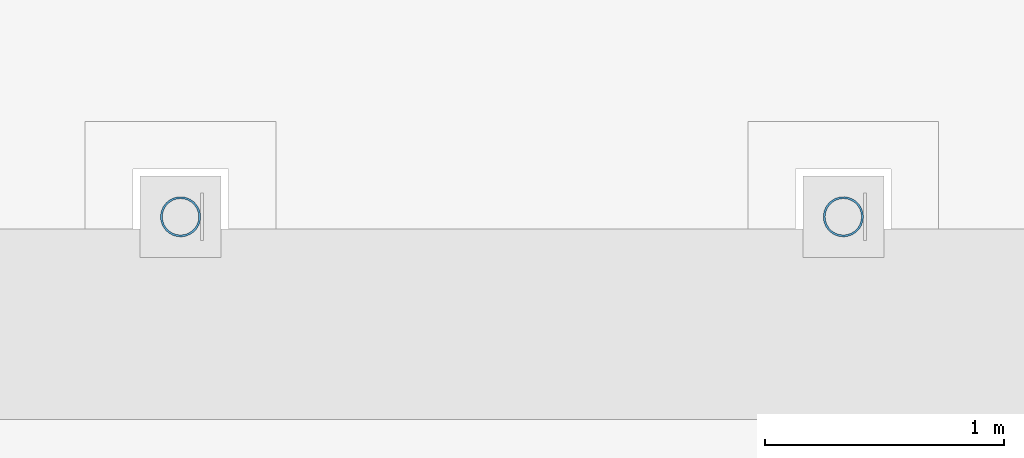
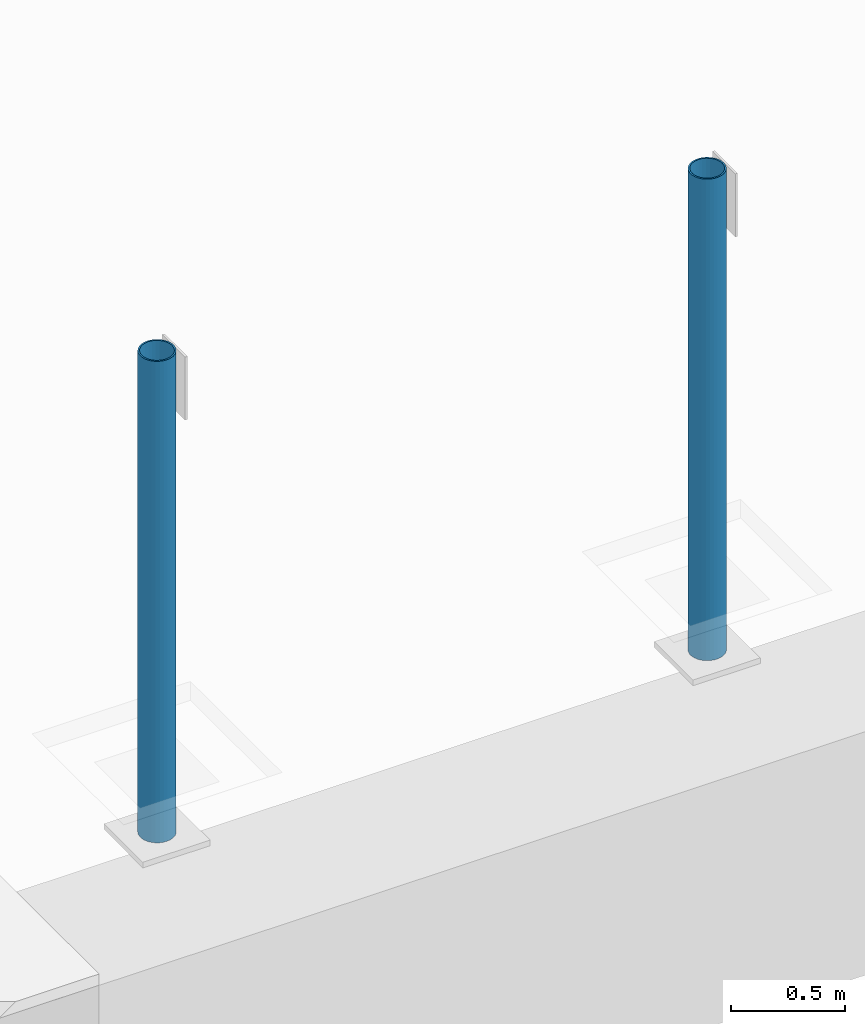
# One storey, part 14 of 47: 2 members.
"""IFC4 building model written with IfcOpenShell, lengths in metres."""

from ifc_helpers import new_model, si_unit, direction, frame, origin, origin_2d, place, context, subcontext, project, spatial, hollow_circle, extrude, material, material_profile, profile_set, type_object, element, save


model = new_model("IFC4")

# Units and contexts
model_context = context("Model", 3, precision=1e-05, world=origin(), true_north=direction((0.0, 1.0)))
body_context = subcontext(model_context, "Body", "Model", "MODEL_VIEW")
ifc_project = project(units=[si_unit("LENGTHUNIT", "METRE"), si_unit("AREAUNIT", "SQUARE_METRE"), si_unit("VOLUMEUNIT", "CUBIC_METRE"), si_unit("PLANEANGLEUNIT", "RADIAN"), si_unit("MASSUNIT", "GRAM", prefix="KILO")], contexts=[model_context])

# Site, building, storey
site_placement = place(None, origin())
site = spatial("IfcSite", under=ifc_project, at=site_placement, CompositionType="ELEMENT")
building_placement = place(site_placement, origin())
building = spatial("IfcBuilding", under=site, at=building_placement, Name="Larchfold Concert Hall", CompositionType="ELEMENT")
storey_placement = place(building_placement, frame((0.0, 0.0, 24.0)))
storey = spatial("IfcBuildingStorey", under=building, at=storey_placement, Name="L05", CompositionType="ELEMENT", Elevation=24.0)

# Members
ifc_material = material(Name="Steel S355J2H", Category="steel")
ifc_material_profile = material_profile(ifc_material, hollow_circle(Radius=0.084228515625, WallThickness=0.008056640625, at=origin_2d()))
ifc_profile_set = profile_set([ifc_material_profile], Name="Steel S355J2H")
member_type = type_object("IfcMemberType", Name="Truss post CHS 168.3x8", PredefinedType="POST", material=ifc_profile_set)
for number, where, z_axis, x_axis, name in (
    (1, (43.989013671875, 93.4501953125, 2.080078125), (0.0, 0.0, 1.0), (1.0, 0.0, 0.0), "Member TP036"),
    (2, (46.76708984375, 93.4501953125, 2.080078125), (0.0, 0.0, 1.0), (1.0, 0.0, 0.0), "Member TP037"),
):
    element("IfcMember", number, at=place(storey_placement, frame(where, z_axis=z_axis, x_axis=x_axis)), inside=storey, type_object=member_type, Name=name, PredefinedType="POST", context=body_context, shape_type="SweptSolid", body=[
        extrude(hollow_circle(Radius=0.084228515625, WallThickness=0.008056640625, at=origin_2d()), origin(), (0.0, 0.0, 1.0), 2.570068359375),
    ])

save(model, "model.ifc")
